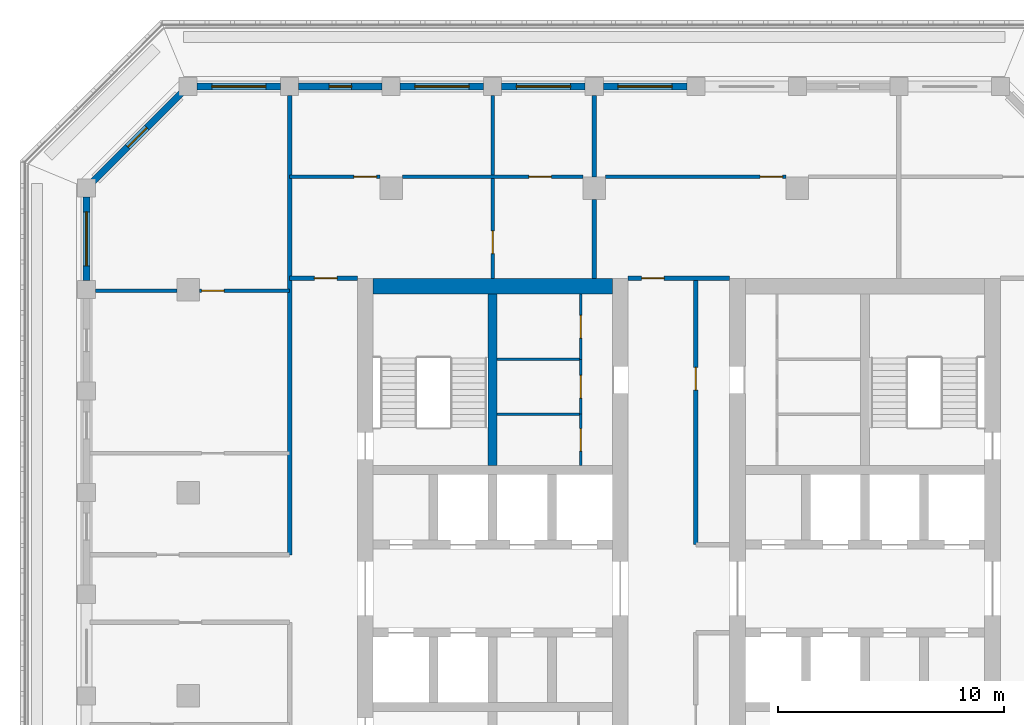
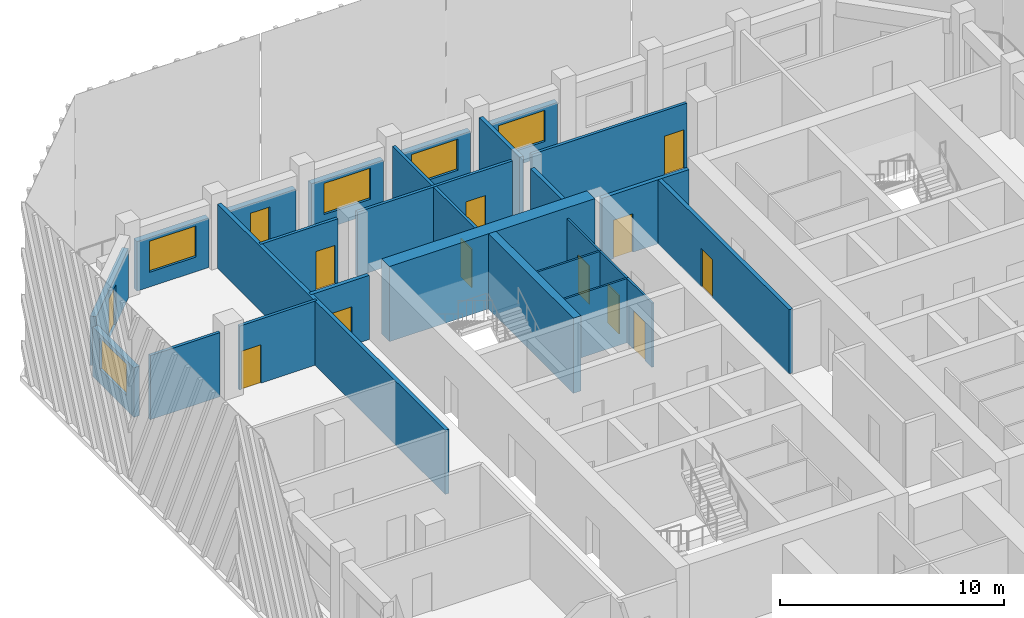
# One storey, part 6 of 16: 26 walls, 13 doors, 5 windows, 18 openings.
"""IFC4 building model written with IfcOpenShell, lengths in metres."""

from ifc_helpers import new_model, si_unit, direction, frame, frame_2d, origin, place, context, subcontext, project, spatial, rectangle, extrude, material, layer, layer_set, type_object, element, fill, save


model = new_model("IFC4")

# Units and contexts
model_context = context("Model", 3, precision=1e-05, world=origin(), true_north=direction((0.0, 1.0)))
body_context = subcontext(model_context, "Body", "Model", "MODEL_VIEW")
ifc_project = project(units=[si_unit("LENGTHUNIT", "METRE"), si_unit("AREAUNIT", "SQUARE_METRE"), si_unit("VOLUMEUNIT", "CUBIC_METRE"), si_unit("PLANEANGLEUNIT", "RADIAN"), si_unit("MASSUNIT", "GRAM", prefix="KILO")], contexts=[model_context])

# Site, building, storey
site_placement = place(None, origin())
site = spatial("IfcSite", under=ifc_project, at=site_placement, CompositionType="ELEMENT")
building_placement = place(site_placement, origin())
building = spatial("IfcBuilding", under=site, at=building_placement, Name="Corbel Stack Research Tower", CompositionType="ELEMENT")
storey_placement = place(building_placement, frame((0.0, 0.0, 290.89990234375)))
storey = spatial("IfcBuildingStorey", under=building, at=storey_placement, Name="L66", CompositionType="ELEMENT", Elevation=290.89990234375)

# Walls
ifc_material_1 = material(Name="Concrete C60/75", Category="concrete")
ifc_layer_1 = layer(ifc_material_1, 0.39990234375)
ifc_layer_set_1 = layer_set([ifc_layer_1], Name="Concrete C60/75")
wall_type_1 = type_object("IfcWallType", Name="CW-400-60", PredefinedType="SHEAR", material=ifc_layer_set_1)
wall_1_placement = place(storey_placement, frame((-4.5, 10.199951171875, 0.0), z_axis=(0.0, 0.0, 1.0), x_axis=(0.0, 1.0, 0.0)))
element("IfcWall", 1, at=wall_1_placement, inside=storey, type_object=wall_type_1, Name="West core wall, north stair and riser L66", PredefinedType="SHEAR", context=body_context, shape_type="SweptSolid", body=[
    extrude(rectangle(XDim=7.60009765625, YDim=0.39990234375, at=frame_2d((3.800048828125, 0.0))), origin(), (0.0, 0.0, 1.0), 4.10009765625),
])
ifc_material_2 = material(Name="Concrete C60/75", Category="concrete")
ifc_layer_2 = layer(ifc_material_2, 0.699951171875)
ifc_layer_set_2 = layer_set([ifc_layer_2], Name="Concrete C60/75")
wall_type_2 = type_object("IfcWallType", Name="CW-700-60", PredefinedType="SHEAR", material=ifc_layer_set_2)
wall_2_placement = place(storey_placement, frame((-9.800048828125, 18.14990234375, 0.0), z_axis=(0.0, 0.0, 1.0), x_axis=(1.0, 0.0, 0.0)))
element("IfcWall", 2, at=wall_2_placement, inside=storey, type_object=wall_type_2, Name="West core wall, north end L66", PredefinedType="SHEAR", context=body_context, shape_type="SweptSolid", body=[
    extrude(rectangle(XDim=10.60009765625, YDim=0.699951171875, at=frame_2d((5.300048828125, 0.0))), origin(), (0.0, 0.0, 1.0), 4.10009765625),
])

# Wall, opening, door
ifc_material_3 = material(Name="Gypsum board")
ifc_layer_3 = layer(ifc_material_3, 0.10009765625)
ifc_layer_set_3 = layer_set([ifc_layer_3], Name="Gypsum board")
wall_type_3 = type_object("IfcWallType", Name="Core partition 100", PredefinedType="PARTITIONING", material=ifc_layer_set_3)
wall_3_placement = place(storey_placement, frame((-0.60009765625, 10.199951171875, 0.0), z_axis=(0.0, 0.0, 1.0), x_axis=(0.0, 1.0, 0.0)))
wall_3 = element("IfcWall", 3, at=wall_3_placement, inside=storey, type_object=wall_type_3, Name="Core partition W", PredefinedType="PARTITIONING", context=body_context, shape_type="SweptSolid", body=[
    extrude(rectangle(XDim=2.280029296875, YDim=0.10009765625, at=frame_2d((1.14013671875, 0.0))), origin(), (0.0, 0.0, 1.0), 3.5),
])
opening_1_placement = place(wall_3_placement, frame((0.639892578125, 0.0, 0.0)))
opening_1 = element("IfcOpeningElement", 4, at=opening_1_placement, cuts=wall_3, Name="Opening CR-W42-R2-1000", PredefinedType="OPENING", context=body_context, shape_type="SweptSolid", body=[
    extrude(rectangle(XDim=1.0, YDim=2.10009765625, at=frame_2d((0.5, 1.050048828125))), frame((0.0, 0.06005859375, 0.0), z_axis=(0.0, -1.0, 0.0), x_axis=(1.0, 0.0, 0.0)), (0.0, 0.0, 1.0), 0.1201171875),
])
ifc_material_4 = material(Name="Painted steel door", Category="steel")
door_type_1 = type_object("IfcDoorType", Name="Riser door 1000 x 2100 FD60 right hand", OperationType="SINGLE_SWING_RIGHT", PredefinedType="DOOR", material=ifc_material_4)
door_1_placement = place(opening_1_placement, origin())
door_1 = element("IfcDoor", 5, at=door_1_placement, inside=storey, type_object=door_type_1, Name="Mechanical riser door W core", OperationType="SINGLE_SWING_RIGHT", OverallHeight=2.10009765625, OverallWidth=1.0, PredefinedType="DOOR", context=body_context, shape_type="SweptSolid", body=[
    extrude(rectangle(XDim=1.0, YDim=2.10009765625, at=frame_2d((0.5, 1.050048828125))), frame((0.0, 0.02490234375, 0.0), z_axis=(0.0, -1.0, 0.0), x_axis=(1.0, 0.0, 0.0)), (0.0, 0.0, 1.0), 0.050048828125),
])
fill(opening_1, door_1)

wall_4_placement = place(storey_placement, frame((-0.60009765625, 12.47998046875, 0.0), z_axis=(0.0, 0.0, 1.0), x_axis=(0.0, 1.0, 0.0)))
wall_4 = element("IfcWall", 6, at=wall_4_placement, inside=storey, type_object=wall_type_3, Name="Core partition W", PredefinedType="PARTITIONING", context=body_context, shape_type="SweptSolid", body=[
    extrude(rectangle(XDim=2.43212890625, YDim=0.10009765625, at=frame_2d((1.216064453125, 0.0))), origin(), (0.0, 0.0, 1.0), 3.5),
])
opening_2_placement = place(wall_4_placement, frame((0.716064453125, 0.0, 0.0)))
opening_2 = element("IfcOpeningElement", 7, at=opening_2_placement, cuts=wall_4, Name="Opening CR-W42-R3-1000", PredefinedType="OPENING", context=body_context, shape_type="SweptSolid", body=[
    extrude(rectangle(XDim=1.0, YDim=2.10009765625, at=frame_2d((0.5, 1.050048828125))), frame((0.0, 0.06005859375, 0.0), z_axis=(0.0, -1.0, 0.0), x_axis=(1.0, 0.0, 0.0)), (0.0, 0.0, 1.0), 0.1201171875),
])
ifc_material_5 = material(Name="Painted steel door", Category="steel")
door_type_2 = type_object("IfcDoorType", Name="Service door 1000 x 2100 FD30 left hand", OperationType="SINGLE_SWING_LEFT", PredefinedType="DOOR", material=ifc_material_5)
door_2_placement = place(opening_2_placement, origin())
door_2 = element("IfcDoor", 8, at=door_2_placement, inside=storey, type_object=door_type_2, Name="Pantry door W core", OperationType="SINGLE_SWING_LEFT", OverallHeight=2.10009765625, OverallWidth=1.0, PredefinedType="DOOR", context=body_context, shape_type="SweptSolid", body=[
    extrude(rectangle(XDim=1.0, YDim=2.10009765625, at=frame_2d((0.5, 1.050048828125))), frame((0.0, 0.02490234375, 0.0), z_axis=(0.0, -1.0, 0.0), x_axis=(1.0, 0.0, 0.0)), (0.0, 0.0, 1.0), 0.050048828125),
])
fill(opening_2, door_2)

wall_5_placement = place(storey_placement, frame((-0.60009765625, 14.912109375, 0.0), z_axis=(0.0, 0.0, 1.0), x_axis=(0.0, 1.0, 0.0)))
wall_5 = element("IfcWall", 9, at=wall_5_placement, inside=storey, type_object=wall_type_3, Name="Core partition W", PredefinedType="PARTITIONING", context=body_context, shape_type="SweptSolid", body=[
    extrude(rectangle(XDim=2.887939453125, YDim=0.10009765625, at=frame_2d((1.44384765625, 0.0))), origin(), (0.0, 0.0, 1.0), 3.5),
])
opening_3_placement = place(wall_5_placement, frame((0.944091796875, 0.0, 0.0)))
opening_3 = element("IfcOpeningElement", 10, at=opening_3_placement, cuts=wall_5, Name="Opening CR-W42-R4-1000", PredefinedType="OPENING", context=body_context, shape_type="SweptSolid", body=[
    extrude(rectangle(XDim=1.0, YDim=2.10009765625, at=frame_2d((0.5, 1.050048828125))), frame((0.0, 0.06005859375, 0.0), z_axis=(0.0, -1.0, 0.0), x_axis=(1.0, 0.0, 0.0)), (0.0, 0.0, 1.0), 0.1201171875),
])
door_3_placement = place(opening_3_placement, origin())
door_3 = element("IfcDoor", 11, at=door_3_placement, inside=storey, type_object=door_type_1, Name="Electrical riser door W core", OperationType="SINGLE_SWING_RIGHT", OverallHeight=2.10009765625, OverallWidth=1.0, PredefinedType="DOOR", context=body_context, shape_type="SweptSolid", body=[
    extrude(rectangle(XDim=1.0, YDim=2.10009765625, at=frame_2d((0.5, 1.050048828125))), frame((0.0, 0.02490234375, 0.0), z_axis=(0.0, -1.0, 0.0), x_axis=(1.0, 0.0, 0.0)), (0.0, 0.0, 1.0), 0.050048828125),
])
fill(opening_3, door_3)

# Walls
for number, where, z_axis, x_axis, name in (
    (12, (-4.300048828125, 12.47998046875, 0.0), (0.0, 0.0, 1.0), (1.0, 0.0, 0.0), "Core partition W"),
    (13, (-4.300048828125, 14.912109375, 0.0), (0.0, 0.0, 1.0), (1.0, 0.0, 0.0), "Core partition W"),
):
    element("IfcWall", number, at=place(storey_placement, frame(where, z_axis=z_axis, x_axis=x_axis)), inside=storey, type_object=wall_type_3, Name=name, PredefinedType="PARTITIONING", context=body_context, shape_type="SweptSolid", body=[
        extrude(rectangle(XDim=3.699951171875, YDim=0.10009765625, at=frame_2d((1.85009765625, 0.0))), origin(), (0.0, 0.0, 1.0), 3.5),
    ])

# Wall, opening, door
ifc_material_6 = material(Name="Fire-rated gypsum board partition on steel studs", Category="steel")
ifc_layer_4 = layer(ifc_material_6, 0.14990234375)
ifc_layer_set_4 = layer_set([ifc_layer_4], Name="Fire-rated gypsum board partition on steel studs")
wall_type_4 = type_object("IfcWallType", Name="Fire-rated partition 150 EI 60", PredefinedType="PARTITIONING", material=ifc_layer_set_4)
wall_6_placement = place(storey_placement, frame((-4.5, 26.60009765625, 0.0), z_axis=(0.0, 0.0, 1.0), x_axis=(0.0, -1.0, 0.0)))
wall_6 = element("IfcWall", 14, at=wall_6_placement, inside=storey, type_object=wall_type_4, Name="Partition L66-003", PredefinedType="PARTITIONING", context=body_context, shape_type="SweptSolid", body=[
    extrude(rectangle(XDim=8.10009765625, YDim=0.14990234375, at=frame_2d((4.050048828125, 0.0))), origin(), (0.0, 0.0, 1.0), 3.5),
])
opening_4_placement = place(wall_6_placement, frame((6.0, 0.0, 0.0)))
opening_4 = element("IfcOpeningElement", 15, at=opening_4_placement, cuts=wall_6, Name="Opening B8V2P-008", PredefinedType="OPENING", context=body_context, shape_type="SweptSolid", body=[
    extrude(rectangle(XDim=1.0, YDim=2.10009765625, at=frame_2d((0.5, 1.050048828125))), frame((0.0, 0.0849609375, 0.0), z_axis=(0.0, -1.0, 0.0), x_axis=(1.0, 0.0, 0.0)), (0.0, 0.0, 1.0), 0.169921875),
])
ifc_material_7 = material(Name="Painted steel fire door", Category="steel")
door_type_3 = type_object("IfcDoorType", Name="Fire door FD30S 1000 x 2100", OperationType="NOTDEFINED", PredefinedType="DOOR", material=ifc_material_7)
door_4_placement = place(opening_4_placement, origin())
door_4 = element("IfcDoor", 16, at=door_4_placement, inside=storey, type_object=door_type_3, Name="Door B8V2P-008", OperationType="SINGLE_SWING_RIGHT", OverallHeight=2.10009765625, OverallWidth=1.0, PredefinedType="DOOR", context=body_context, shape_type="SweptSolid", body=[
    extrude(rectangle(XDim=1.0, YDim=2.10009765625, at=frame_2d((0.5, 1.050048828125))), frame((0.0, 0.02490234375, 0.0), z_axis=(0.0, -1.0, 0.0), x_axis=(1.0, 0.0, 0.0)), (0.0, 0.0, 1.0), 0.050048828125),
])
fill(opening_4, door_4)

# Walls
ifc_material_8 = material(Name="Fire-rated gypsum board partition on steel studs", Category="steel")
ifc_layer_5 = layer(ifc_material_8, 0.199951171875)
ifc_layer_set_5 = layer_set([ifc_layer_5], Name="Fire-rated gypsum board partition on steel studs")
wall_type_5 = type_object("IfcWallType", Name="Fire-rated partition 200 EI 60", PredefinedType="PARTITIONING", material=ifc_layer_set_5)
wall_7_placement = place(storey_placement, frame((-13.5, 6.25, 0.0), z_axis=(0.0, 0.0, 1.0), x_axis=(0.0, 1.0, 0.0)))
element("IfcWall", 17, at=wall_7_placement, inside=storey, type_object=wall_type_5, Name="Partition L66-002", PredefinedType="PARTITIONING", context=body_context, shape_type="SweptSolid", body=[
    extrude(rectangle(XDim=20.35009765625, YDim=0.199951171875, at=frame_2d((10.175048828125, 0.0))), origin(), (0.0, 0.0, 1.0), 3.5),
])
wall_8_placement = place(storey_placement, frame((0.0, 18.5, 0.0), z_axis=(0.0, 0.0, 1.0), x_axis=(0.0, 1.0, 0.0)))
element("IfcWall", 18, at=wall_8_placement, inside=storey, type_object=wall_type_5, Name="Partition L66-006", PredefinedType="PARTITIONING", context=body_context, shape_type="SweptSolid", body=[
    extrude(rectangle(XDim=3.5, YDim=0.199951171875, at=frame_2d((1.75, 0.0))), origin(), (0.0, 0.0, 1.0), 3.5),
])
wall_9_placement = place(storey_placement, frame((0.0, 23.0, 0.0), z_axis=(0.0, 0.0, 1.0), x_axis=(0.0, 1.0, 0.0)))
element("IfcWall", 19, at=wall_9_placement, inside=storey, type_object=wall_type_5, Name="Partition L66-007", PredefinedType="PARTITIONING", context=body_context, shape_type="SweptSolid", body=[
    extrude(rectangle(XDim=3.60009765625, YDim=0.199951171875, at=frame_2d((1.800048828125, 0.0))), origin(), (0.0, 0.0, 1.0), 3.5),
])

# Wall, opening, door
wall_10_placement = place(storey_placement, frame((4.5, 18.5, 0.0), z_axis=(0.0, 0.0, 1.0), x_axis=(0.0, -1.0, 0.0)))
wall_10 = element("IfcWall", 20, at=wall_10_placement, inside=storey, type_object=wall_type_5, Name="Partition L66-011", PredefinedType="PARTITIONING", context=body_context, shape_type="SweptSolid", body=[
    extrude(rectangle(XDim=11.800048828125, YDim=0.199951171875, at=frame_2d((5.89990234375, 0.0))), origin(), (0.0, 0.0, 1.0), 3.5),
])
opening_5_placement = place(wall_10_placement, frame((3.949951171875, 0.0, 0.0)))
opening_5 = element("IfcOpeningElement", 21, at=opening_5_placement, cuts=wall_10, Name="Opening B8V2P-014", PredefinedType="OPENING", context=body_context, shape_type="SweptSolid", body=[
    extrude(rectangle(XDim=1.0, YDim=2.10009765625, at=frame_2d((0.5, 1.050048828125))), frame((0.0, 0.10986328125, 0.0), z_axis=(0.0, -1.0, 0.0), x_axis=(1.0, 0.0, 0.0)), (0.0, 0.0, 1.0), 0.219970703125),
])
door_5_placement = place(opening_5_placement, origin())
door_5 = element("IfcDoor", 22, at=door_5_placement, inside=storey, type_object=door_type_3, Name="Door B8V2P-014", OperationType="SINGLE_SWING_LEFT", OverallHeight=2.10009765625, OverallWidth=1.0, PredefinedType="DOOR", context=body_context, shape_type="SweptSolid", body=[
    extrude(rectangle(XDim=1.0, YDim=2.10009765625, at=frame_2d((0.5, 1.050048828125))), frame((0.0, 0.02490234375, 0.0), z_axis=(0.0, -1.0, 0.0), x_axis=(1.0, 0.0, 0.0)), (0.0, 0.0, 1.0), 0.050048828125),
])
fill(opening_5, door_5)

wall_11_placement = place(storey_placement, frame((-13.5, 18.5, 0.0), z_axis=(0.0, 0.0, 1.0), x_axis=(1.0, 0.0, 0.0)))
wall_11 = element("IfcWall", 23, at=wall_11_placement, inside=storey, type_object=wall_type_5, Name="Partition L66-034", PredefinedType="PARTITIONING", context=body_context, shape_type="SweptSolid", body=[
    extrude(rectangle(XDim=3.0, YDim=0.199951171875, at=frame_2d((1.5, 0.0))), origin(), (0.0, 0.0, 1.0), 3.5),
])
opening_6_placement = place(wall_11_placement, frame((1.10009765625, 0.0, 0.0)))
opening_6 = element("IfcOpeningElement", 24, at=opening_6_placement, cuts=wall_11, Name="Opening B8V2P-019", PredefinedType="OPENING", context=body_context, shape_type="SweptSolid", body=[
    extrude(rectangle(XDim=1.0, YDim=2.10009765625, at=frame_2d((0.5, 1.050048828125))), frame((0.0, 0.10986328125, 0.0), z_axis=(0.0, -1.0, 0.0), x_axis=(1.0, 0.0, 0.0)), (0.0, 0.0, 1.0), 0.219970703125),
])
door_6_placement = place(opening_6_placement, origin())
door_6 = element("IfcDoor", 25, at=door_6_placement, inside=storey, type_object=door_type_3, Name="Door B8V2P-019", OperationType="SINGLE_SWING_RIGHT", OverallHeight=2.10009765625, OverallWidth=1.0, PredefinedType="DOOR", context=body_context, shape_type="SweptSolid", body=[
    extrude(rectangle(XDim=1.0, YDim=2.10009765625, at=frame_2d((0.5, 1.050048828125))), frame((0.0, 0.02490234375, 0.0), z_axis=(0.0, -1.0, 0.0), x_axis=(1.0, 0.0, 0.0)), (0.0, 0.0, 1.0), 0.050048828125),
])
fill(opening_6, door_6)

wall_12_placement = place(storey_placement, frame((1.5, 18.5, 0.0), z_axis=(0.0, 0.0, 1.0), x_axis=(1.0, 0.0, 0.0)))
wall_12 = element("IfcWall", 26, at=wall_12_placement, inside=storey, type_object=wall_type_5, Name="Partition L66-035", PredefinedType="PARTITIONING", context=body_context, shape_type="SweptSolid", body=[
    extrude(rectangle(XDim=4.5, YDim=0.199951171875, at=frame_2d((2.25, 0.0))), origin(), (0.0, 0.0, 1.0), 3.5),
])
opening_7_placement = place(wall_12_placement, frame((0.60009765625, 0.0, 0.0)))
opening_7 = element("IfcOpeningElement", 27, at=opening_7_placement, cuts=wall_12, Name="Opening B8V2P-020", PredefinedType="OPENING", context=body_context, shape_type="SweptSolid", body=[
    extrude(rectangle(XDim=1.0, YDim=2.10009765625, at=frame_2d((0.5, 1.050048828125))), frame((0.0, 0.10986328125, 0.0), z_axis=(0.0, -1.0, 0.0), x_axis=(1.0, 0.0, 0.0)), (0.0, 0.0, 1.0), 0.219970703125),
])
door_7_placement = place(opening_7_placement, origin())
door_7 = element("IfcDoor", 28, at=door_7_placement, inside=storey, type_object=door_type_3, Name="Door B8V2P-020", OperationType="SINGLE_SWING_LEFT", OverallHeight=2.10009765625, OverallWidth=1.0, PredefinedType="DOOR", context=body_context, shape_type="SweptSolid", body=[
    extrude(rectangle(XDim=1.0, YDim=2.10009765625, at=frame_2d((0.5, 1.050048828125))), frame((0.0, 0.02490234375, 0.0), z_axis=(0.0, -1.0, 0.0), x_axis=(1.0, 0.0, 0.0)), (0.0, 0.0, 1.0), 0.050048828125),
])
fill(opening_7, door_7)

# Wall
ifc_material_9 = material(Name="Gypsum board partition on steel studs", Category="steel")
ifc_layer_6 = layer(ifc_material_9, 0.14990234375)
ifc_layer_set_6 = layer_set([ifc_layer_6], Name="Gypsum board partition on steel studs")
wall_type_6 = type_object("IfcWallType", Name="Partition 150", PredefinedType="PARTITIONING", material=ifc_layer_set_6)
wall_13_placement = place(storey_placement, frame((-22.10009765625, 17.949951171875, 0.0), z_axis=(0.0, 0.0, 1.0), x_axis=(1.0, 0.0, 0.0)))
element("IfcWall", 29, at=wall_13_placement, inside=storey, type_object=wall_type_6, Name="Partition L66-032", PredefinedType="PARTITIONING", context=body_context, shape_type="SweptSolid", body=[
    extrude(rectangle(XDim=3.60009765625, YDim=0.14990234375, at=frame_2d((1.800048828125, 0.0))), origin(), (0.0, 0.0, 1.0), 3.5),
])

# Wall, opening, door
wall_14_placement = place(storey_placement, frame((-17.5, 17.949951171875, 0.0), z_axis=(0.0, 0.0, 1.0), x_axis=(1.0, 0.0, 0.0)))
wall_14 = element("IfcWall", 30, at=wall_14_placement, inside=storey, type_object=wall_type_6, Name="Partition L66-033", PredefinedType="PARTITIONING", context=body_context, shape_type="SweptSolid", body=[
    extrude(rectangle(XDim=4.0, YDim=0.14990234375, at=frame_2d((2.0, 0.0))), origin(), (0.0, 0.0, 1.0), 3.5),
])
opening_8_placement = place(wall_14_placement, frame((0.10009765625, 0.0, 0.0)))
opening_8 = element("IfcOpeningElement", 31, at=opening_8_placement, cuts=wall_14, Name="Opening B8V2P-018", PredefinedType="OPENING", context=body_context, shape_type="SweptSolid", body=[
    extrude(rectangle(XDim=1.0, YDim=2.10009765625, at=frame_2d((0.5, 1.050048828125))), frame((0.0, 0.0849609375, 0.0), z_axis=(0.0, -1.0, 0.0), x_axis=(1.0, 0.0, 0.0)), (0.0, 0.0, 1.0), 0.169921875),
])
ifc_material_10 = material(Name="Painted timber door", Category="wood")
door_type_4 = type_object("IfcDoorType", Name="Single door 1000 x 2100", OperationType="NOTDEFINED", PredefinedType="DOOR", material=ifc_material_10)
door_8_placement = place(opening_8_placement, origin())
door_8 = element("IfcDoor", 32, at=door_8_placement, inside=storey, type_object=door_type_4, Name="Door B8V2P-018", OperationType="SINGLE_SWING_LEFT", OverallHeight=2.10009765625, OverallWidth=1.0, PredefinedType="DOOR", context=body_context, shape_type="SweptSolid", body=[
    extrude(rectangle(XDim=1.0, YDim=2.10009765625, at=frame_2d((0.5, 1.050048828125))), frame((0.0, 0.02490234375, 0.0), z_axis=(0.0, -1.0, 0.0), x_axis=(1.0, 0.0, 0.0)), (0.0, 0.0, 1.0), 0.050048828125),
])
fill(opening_8, door_8)

wall_15_placement = place(storey_placement, frame((-13.5, 23.0, 0.0), z_axis=(0.0, 0.0, 1.0), x_axis=(1.0, 0.0, 0.0)))
wall_15 = element("IfcWall", 33, at=wall_15_placement, inside=storey, type_object=wall_type_6, Name="Partition L66-037", PredefinedType="PARTITIONING", context=body_context, shape_type="SweptSolid", body=[
    extrude(rectangle(XDim=4.0, YDim=0.14990234375, at=frame_2d((2.0, 0.0))), origin(), (0.0, 0.0, 1.0), 3.5),
])
opening_9_placement = place(wall_15_placement, frame((2.85009765625, 0.0, 0.0)))
opening_9 = element("IfcOpeningElement", 34, at=opening_9_placement, cuts=wall_15, Name="Opening B8V2P-022", PredefinedType="OPENING", context=body_context, shape_type="SweptSolid", body=[
    extrude(rectangle(XDim=1.0, YDim=2.10009765625, at=frame_2d((0.5, 1.050048828125))), frame((0.0, 0.0849609375, 0.0), z_axis=(0.0, -1.0, 0.0), x_axis=(1.0, 0.0, 0.0)), (0.0, 0.0, 1.0), 0.169921875),
])
door_9_placement = place(opening_9_placement, origin())
door_9 = element("IfcDoor", 35, at=door_9_placement, inside=storey, type_object=door_type_4, Name="Door B8V2P-022", OperationType="SINGLE_SWING_RIGHT", OverallHeight=2.10009765625, OverallWidth=1.0, PredefinedType="DOOR", context=body_context, shape_type="SweptSolid", body=[
    extrude(rectangle(XDim=1.0, YDim=2.10009765625, at=frame_2d((0.5, 1.050048828125))), frame((0.0, 0.02490234375, 0.0), z_axis=(0.0, -1.0, 0.0), x_axis=(1.0, 0.0, 0.0)), (0.0, 0.0, 1.0), 0.050048828125),
])
fill(opening_9, door_9)

wall_16_placement = place(storey_placement, frame((-8.5, 23.0, 0.0), z_axis=(0.0, 0.0, 1.0), x_axis=(1.0, 0.0, 0.0)))
wall_16 = element("IfcWall", 36, at=wall_16_placement, inside=storey, type_object=wall_type_6, Name="Partition L66-038", PredefinedType="PARTITIONING", context=body_context, shape_type="SweptSolid", body=[
    extrude(rectangle(XDim=8.0, YDim=0.14990234375, at=frame_2d((4.0, 0.0))), origin(), (0.0, 0.0, 1.0), 3.5),
])
opening_10_placement = place(wall_16_placement, frame((5.60009765625, 0.0, 0.0)))
opening_10 = element("IfcOpeningElement", 37, at=opening_10_placement, cuts=wall_16, Name="Opening B8V2P-023", PredefinedType="OPENING", context=body_context, shape_type="SweptSolid", body=[
    extrude(rectangle(XDim=1.0, YDim=2.10009765625, at=frame_2d((0.5, 1.050048828125))), frame((0.0, 0.0849609375, 0.0), z_axis=(0.0, -1.0, 0.0), x_axis=(1.0, 0.0, 0.0)), (0.0, 0.0, 1.0), 0.169921875),
])
door_10_placement = place(opening_10_placement, origin())
door_10 = element("IfcDoor", 38, at=door_10_placement, inside=storey, type_object=door_type_4, Name="Door B8V2P-023", OperationType="SINGLE_SWING_RIGHT", OverallHeight=2.10009765625, OverallWidth=1.0, PredefinedType="DOOR", context=body_context, shape_type="SweptSolid", body=[
    extrude(rectangle(XDim=1.0, YDim=2.10009765625, at=frame_2d((0.5, 1.050048828125))), frame((0.0, 0.02490234375, 0.0), z_axis=(0.0, -1.0, 0.0), x_axis=(1.0, 0.0, 0.0)), (0.0, 0.0, 1.0), 0.050048828125),
])
fill(opening_10, door_10)

wall_17_placement = place(storey_placement, frame((0.5, 23.0, 0.0), z_axis=(0.0, 0.0, 1.0), x_axis=(1.0, 0.0, 0.0)))
wall_17 = element("IfcWall", 39, at=wall_17_placement, inside=storey, type_object=wall_type_6, Name="Partition L66-039", PredefinedType="PARTITIONING", context=body_context, shape_type="SweptSolid", body=[
    extrude(rectangle(XDim=8.0, YDim=0.14990234375, at=frame_2d((4.0, 0.0))), origin(), (0.0, 0.0, 1.0), 3.5),
])
opening_11_placement = place(wall_17_placement, frame((6.85009765625, 0.0, 0.0)))
opening_11 = element("IfcOpeningElement", 40, at=opening_11_placement, cuts=wall_17, Name="Opening B8V2P-024", PredefinedType="OPENING", context=body_context, shape_type="SweptSolid", body=[
    extrude(rectangle(XDim=1.0, YDim=2.10009765625, at=frame_2d((0.5, 1.050048828125))), frame((0.0, 0.0849609375, 0.0), z_axis=(0.0, -1.0, 0.0), x_axis=(1.0, 0.0, 0.0)), (0.0, 0.0, 1.0), 0.169921875),
])
door_11_placement = place(opening_11_placement, origin())
door_11 = element("IfcDoor", 41, at=door_11_placement, inside=storey, type_object=door_type_4, Name="Door B8V2P-024", OperationType="SINGLE_SWING_RIGHT", OverallHeight=2.10009765625, OverallWidth=1.0, PredefinedType="DOOR", context=body_context, shape_type="SweptSolid", body=[
    extrude(rectangle(XDim=1.0, YDim=2.10009765625, at=frame_2d((0.5, 1.050048828125))), frame((0.0, 0.02490234375, 0.0), z_axis=(0.0, -1.0, 0.0), x_axis=(1.0, 0.0, 0.0)), (0.0, 0.0, 1.0), 0.050048828125),
])
fill(opening_11, door_11)

# Wall, opening, window
ifc_material_11 = material(Name="Concrete C45/55", Category="concrete")
ifc_layer_7 = layer(ifc_material_11, 0.300048828125)
ifc_layer_set_7 = layer_set([ifc_layer_7], Name="Concrete C45/55")
wall_type_7 = type_object("IfcWallType", Name="Terracotta-faced concrete wall 300", PredefinedType="SOLIDWALL", material=ifc_layer_set_7)
wall_18_placement = place(storey_placement, frame((0.39990234375, 27.0, 0.0), z_axis=(0.0, 0.0, 1.0), x_axis=(1.0, 0.0, 0.0)))
wall_18 = element("IfcWall", 42, at=wall_18_placement, inside=storey, type_object=wall_type_7, Name="Facade wall L66 N04", PredefinedType="SOLIDWALL", context=body_context, shape_type="SweptSolid", body=[
    extrude(rectangle(XDim=3.7001953125, YDim=0.300048828125, at=frame_2d((1.85009765625, 0.0))), origin(), (0.0, 0.0, 1.0), 2.7001953125),
])
opening_12_placement = place(wall_18_placement, frame((0.64990234375, 0.0, 0.800048828125)))
opening_12 = element("IfcOpeningElement", 43, at=opening_12_placement, cuts=wall_18, Name="Opening W1", PredefinedType="OPENING", context=body_context, shape_type="SweptSolid", body=[
    extrude(rectangle(XDim=2.39990234375, YDim=1.699951171875, at=frame_2d((1.199951171875, 0.85009765625))), frame((0.0, 0.159912109375, 0.0), z_axis=(0.0, -1.0, 0.0), x_axis=(1.0, 0.0, 0.0)), (0.0, 0.0, 1.0), 0.320068359375),
])
ifc_material_12 = material(Name="Aluminium frame, clear double glazing", Category="aluminium")
window_type = type_object("IfcWindowType", Name="Window W1 2400 x 1700", PartitioningType="SINGLE_PANEL", PredefinedType="WINDOW", material=ifc_material_12)
window_1_placement = place(opening_12_placement, origin())
window_1 = element("IfcWindow", 44, at=window_1_placement, inside=storey, type_object=window_type, Name="Window W1 L66 N04", OverallHeight=1.699951171875, OverallWidth=2.39990234375, PartitioningType="SINGLE_PANEL", PredefinedType="WINDOW", context=body_context, shape_type="SweptSolid", body=[
    extrude(rectangle(XDim=2.39990234375, YDim=1.699951171875, at=frame_2d((1.199951171875, 0.85009765625))), frame((0.0, 0.030029296875, 0.0), z_axis=(0.0, -1.0, 0.0), x_axis=(1.0, 0.0, 0.0)), (0.0, 0.0, 1.0), 0.06005859375),
])
fill(opening_12, window_1)

wall_19_placement = place(storey_placement, frame((-4.10009765625, 27.0, 0.0), z_axis=(0.0, 0.0, 1.0), x_axis=(1.0, 0.0, 0.0)))
wall_19 = element("IfcWall", 45, at=wall_19_placement, inside=storey, type_object=wall_type_7, Name="Facade wall L66 N05", PredefinedType="SOLIDWALL", context=body_context, shape_type="SweptSolid", body=[
    extrude(rectangle(XDim=3.7001953125, YDim=0.300048828125, at=frame_2d((1.85009765625, 0.0))), origin(), (0.0, 0.0, 1.0), 2.7001953125),
])
opening_13_placement = place(wall_19_placement, frame((0.64990234375, 0.0, 0.800048828125)))
opening_13 = element("IfcOpeningElement", 46, at=opening_13_placement, cuts=wall_19, Name="Opening W1", PredefinedType="OPENING", context=body_context, shape_type="SweptSolid", body=[
    extrude(rectangle(XDim=2.39990234375, YDim=1.699951171875, at=frame_2d((1.199951171875, 0.85009765625))), frame((0.0, 0.159912109375, 0.0), z_axis=(0.0, -1.0, 0.0), x_axis=(1.0, 0.0, 0.0)), (0.0, 0.0, 1.0), 0.320068359375),
])
window_2_placement = place(opening_13_placement, origin())
window_2 = element("IfcWindow", 47, at=window_2_placement, inside=storey, type_object=window_type, Name="Window W1 L66 N05", OverallHeight=1.699951171875, OverallWidth=2.39990234375, PartitioningType="SINGLE_PANEL", PredefinedType="WINDOW", context=body_context, shape_type="SweptSolid", body=[
    extrude(rectangle(XDim=2.39990234375, YDim=1.699951171875, at=frame_2d((1.199951171875, 0.85009765625))), frame((0.0, 0.030029296875, 0.0), z_axis=(0.0, -1.0, 0.0), x_axis=(1.0, 0.0, 0.0)), (0.0, 0.0, 1.0), 0.06005859375),
])
fill(opening_13, window_2)

wall_20_placement = place(storey_placement, frame((-8.60009765625, 27.0, 0.0), z_axis=(0.0, 0.0, 1.0), x_axis=(1.0, 0.0, 0.0)))
wall_20 = element("IfcWall", 48, at=wall_20_placement, inside=storey, type_object=wall_type_7, Name="Facade wall L66 N06", PredefinedType="SOLIDWALL", context=body_context, shape_type="SweptSolid", body=[
    extrude(rectangle(XDim=3.7001953125, YDim=0.300048828125, at=frame_2d((1.85009765625, 0.0))), origin(), (0.0, 0.0, 1.0), 2.7001953125),
])
opening_14_placement = place(wall_20_placement, frame((0.64990234375, 0.0, 0.800048828125)))
opening_14 = element("IfcOpeningElement", 49, at=opening_14_placement, cuts=wall_20, Name="Opening W1", PredefinedType="OPENING", context=body_context, shape_type="SweptSolid", body=[
    extrude(rectangle(XDim=2.39990234375, YDim=1.699951171875, at=frame_2d((1.199951171875, 0.85009765625))), frame((0.0, 0.159912109375, 0.0), z_axis=(0.0, -1.0, 0.0), x_axis=(1.0, 0.0, 0.0)), (0.0, 0.0, 1.0), 0.320068359375),
])
window_3_placement = place(opening_14_placement, origin())
window_3 = element("IfcWindow", 50, at=window_3_placement, inside=storey, type_object=window_type, Name="Window W1 L66 N06", OverallHeight=1.699951171875, OverallWidth=2.39990234375, PartitioningType="SINGLE_PANEL", PredefinedType="WINDOW", context=body_context, shape_type="SweptSolid", body=[
    extrude(rectangle(XDim=2.39990234375, YDim=1.699951171875, at=frame_2d((1.199951171875, 0.85009765625))), frame((0.0, 0.030029296875, 0.0), z_axis=(0.0, -1.0, 0.0), x_axis=(1.0, 0.0, 0.0)), (0.0, 0.0, 1.0), 0.06005859375),
])
fill(opening_14, window_3)

# Wall, opening, door
wall_21_placement = place(storey_placement, frame((-13.10009765625, 27.0, 0.0), z_axis=(0.0, 0.0, 1.0), x_axis=(1.0, 0.0, 0.0)))
wall_21 = element("IfcWall", 51, at=wall_21_placement, inside=storey, type_object=wall_type_7, Name="Facade wall L66 N07", PredefinedType="SOLIDWALL", context=body_context, shape_type="SweptSolid", body=[
    extrude(rectangle(XDim=3.7001953125, YDim=0.300048828125, at=frame_2d((1.85009765625, 0.0))), origin(), (0.0, 0.0, 1.0), 2.7001953125),
])
opening_15_placement = place(wall_21_placement, frame((1.35009765625, 0.0, 0.0)))
opening_15 = element("IfcOpeningElement", 52, at=opening_15_placement, cuts=wall_21, Name="Opening L66-B08", PredefinedType="OPENING", context=body_context, shape_type="SweptSolid", body=[
    extrude(rectangle(XDim=1.0, YDim=2.199951171875, at=frame_2d((0.5, 1.10009765625))), frame((0.0, 0.159912109375, 0.0), z_axis=(0.0, -1.0, 0.0), x_axis=(1.0, 0.0, 0.0)), (0.0, 0.0, 1.0), 0.320068359375),
])
ifc_material_13 = material(Name="Aluminium frame, clear double glazing", Category="aluminium")
door_type_5 = type_object("IfcDoorType", Name="Balcony door BD1 1000 x 2200", OperationType="NOTDEFINED", PredefinedType="DOOR", material=ifc_material_13)
door_12_placement = place(opening_15_placement, origin())
door_12 = element("IfcDoor", 53, at=door_12_placement, inside=storey, type_object=door_type_5, Name="Balcony door L66-B08", OperationType="SINGLE_SWING_LEFT", OverallHeight=2.199951171875, OverallWidth=1.0, PredefinedType="DOOR", context=body_context, shape_type="SweptSolid", body=[
    extrude(rectangle(XDim=1.0, YDim=2.199951171875, at=frame_2d((0.5, 1.10009765625))), frame((0.0, 0.02490234375, 0.0), z_axis=(0.0, -1.0, 0.0), x_axis=(1.0, 0.0, 0.0)), (0.0, 0.0, 1.0), 0.050048828125),
])
fill(opening_15, door_12)

# Wall, opening, window
wall_22_placement = place(storey_placement, frame((-17.60009765625, 27.0, 0.0), z_axis=(0.0, 0.0, 1.0), x_axis=(1.0, 0.0, 0.0)))
wall_22 = element("IfcWall", 54, at=wall_22_placement, inside=storey, type_object=wall_type_7, Name="Facade wall L66 N08", PredefinedType="SOLIDWALL", context=body_context, shape_type="SweptSolid", body=[
    extrude(rectangle(XDim=3.7001953125, YDim=0.300048828125, at=frame_2d((1.85009765625, 0.0))), origin(), (0.0, 0.0, 1.0), 2.7001953125),
])
opening_16_placement = place(wall_22_placement, frame((0.64990234375, 0.0, 0.800048828125)))
opening_16 = element("IfcOpeningElement", 55, at=opening_16_placement, cuts=wall_22, Name="Opening W1", PredefinedType="OPENING", context=body_context, shape_type="SweptSolid", body=[
    extrude(rectangle(XDim=2.39990234375, YDim=1.699951171875, at=frame_2d((1.199951171875, 0.85009765625))), frame((0.0, 0.159912109375, 0.0), z_axis=(0.0, -1.0, 0.0), x_axis=(1.0, 0.0, 0.0)), (0.0, 0.0, 1.0), 0.320068359375),
])
window_4_placement = place(opening_16_placement, origin())
window_4 = element("IfcWindow", 56, at=window_4_placement, inside=storey, type_object=window_type, Name="Window W1 L66 N08", OverallHeight=1.699951171875, OverallWidth=2.39990234375, PartitioningType="SINGLE_PANEL", PredefinedType="WINDOW", context=body_context, shape_type="SweptSolid", body=[
    extrude(rectangle(XDim=2.39990234375, YDim=1.699951171875, at=frame_2d((1.199951171875, 0.85009765625))), frame((0.0, 0.030029296875, 0.0), z_axis=(0.0, -1.0, 0.0), x_axis=(1.0, 0.0, 0.0)), (0.0, 0.0, 1.0), 0.06005859375),
])
fill(opening_16, window_4)

# Wall, opening, door
wall_23_placement = place(storey_placement, frame((-22.2060546875, 22.7939453125, 0.0), z_axis=(0.0, 0.0, 1.0), x_axis=(0.707106781187, 0.707106781187, 0.0)))
wall_23 = element("IfcWall", 57, at=wall_23_placement, inside=storey, type_object=wall_type_7, Name="Facade wall L66 NW01", PredefinedType="SOLIDWALL", context=body_context, shape_type="SweptSolid", body=[
    extrude(rectangle(XDim=5.532470703125, YDim=0.300048828125, at=frame_2d((2.76611328125, 0.0))), origin(), (0.0, 0.0, 1.0), 2.7001953125),
])
opening_17_placement = place(wall_23_placement, frame((2.166259765625, 0.0, 0.0)))
opening_17 = element("IfcOpeningElement", 58, at=opening_17_placement, cuts=wall_23, Name="Opening L66-B09", PredefinedType="OPENING", context=body_context, shape_type="SweptSolid", body=[
    extrude(rectangle(XDim=1.199951171875, YDim=2.199951171875, at=frame_2d((0.60009765625, 1.10009765625))), frame((0.0, 0.159912109375, 0.0), z_axis=(0.0, -1.0, 0.0), x_axis=(1.0, 0.0, 0.0)), (0.0, 0.0, 1.0), 0.320068359375),
])
ifc_material_14 = material(Name="Aluminium frame, clear double glazing", Category="aluminium")
door_type_6 = type_object("IfcDoorType", Name="Balcony door BD2 1200 x 2200", OperationType="NOTDEFINED", PredefinedType="DOOR", material=ifc_material_14)
door_13_placement = place(opening_17_placement, origin())
door_13 = element("IfcDoor", 59, at=door_13_placement, inside=storey, type_object=door_type_6, Name="Balcony door L66-B09", OperationType="SINGLE_SWING_LEFT", OverallHeight=2.199951171875, OverallWidth=1.199951171875, PredefinedType="DOOR", context=body_context, shape_type="SweptSolid", body=[
    extrude(rectangle(XDim=1.199951171875, YDim=2.199951171875, at=frame_2d((0.60009765625, 1.10009765625))), frame((0.0, 0.02490234375, 0.0), z_axis=(0.0, -1.0, 0.0), x_axis=(1.0, 0.0, 0.0)), (0.0, 0.0, 1.0), 0.050048828125),
])
fill(opening_17, door_13)

# Wall, opening, window
wall_24_placement = place(storey_placement, frame((-22.5, 18.39990234375, 0.0), z_axis=(0.0, 0.0, 1.0), x_axis=(0.0, 1.0, 0.0)))
wall_24 = element("IfcWall", 60, at=wall_24_placement, inside=storey, type_object=wall_type_7, Name="Facade wall L66 W01", PredefinedType="SOLIDWALL", context=body_context, shape_type="SweptSolid", body=[
    extrude(rectangle(XDim=3.7001953125, YDim=0.300048828125, at=frame_2d((1.85009765625, 0.0))), origin(), (0.0, 0.0, 1.0), 2.7001953125),
])
opening_18_placement = place(wall_24_placement, frame((0.64990234375, 0.0, 0.800048828125)))
opening_18 = element("IfcOpeningElement", 61, at=opening_18_placement, cuts=wall_24, Name="Opening W1", PredefinedType="OPENING", context=body_context, shape_type="SweptSolid", body=[
    extrude(rectangle(XDim=2.39990234375, YDim=1.699951171875, at=frame_2d((1.199951171875, 0.85009765625))), frame((0.0, 0.159912109375, 0.0), z_axis=(0.0, -1.0, 0.0), x_axis=(1.0, 0.0, 0.0)), (0.0, 0.0, 1.0), 0.320068359375),
])
window_5_placement = place(opening_18_placement, origin())
window_5 = element("IfcWindow", 62, at=window_5_placement, inside=storey, type_object=window_type, Name="Window W1 L66 W01", OverallHeight=1.699951171875, OverallWidth=2.39990234375, PartitioningType="SINGLE_PANEL", PredefinedType="WINDOW", context=body_context, shape_type="SweptSolid", body=[
    extrude(rectangle(XDim=2.39990234375, YDim=1.699951171875, at=frame_2d((1.199951171875, 0.85009765625))), frame((0.0, 0.030029296875, 0.0), z_axis=(0.0, -1.0, 0.0), x_axis=(1.0, 0.0, 0.0)), (0.0, 0.0, 1.0), 0.06005859375),
])
fill(opening_18, window_5)

save(model, "model.ifc")
